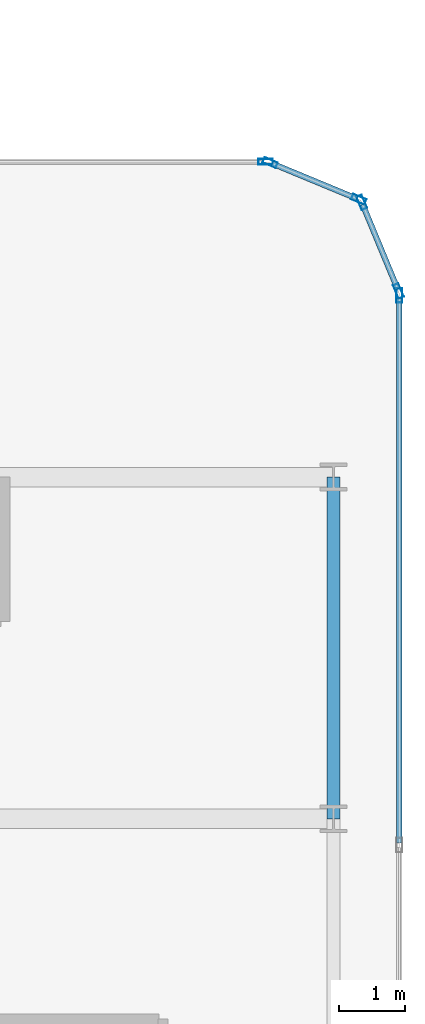
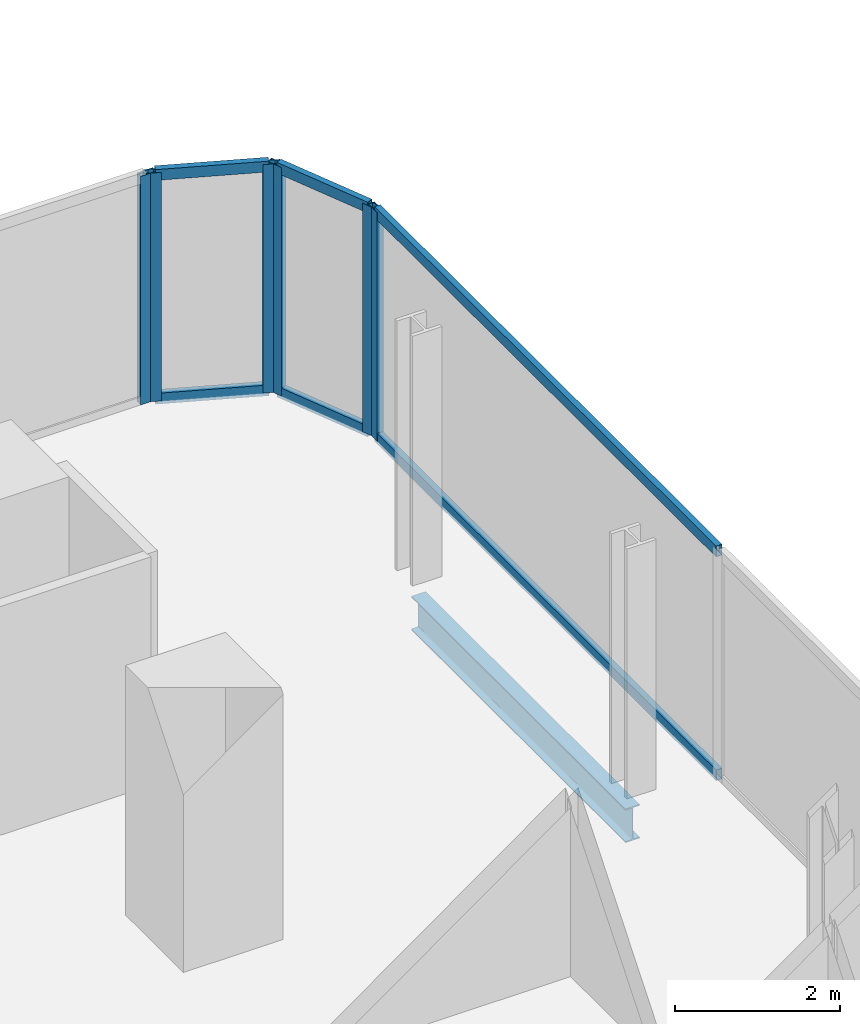
# One storey, part 19 of 33: 12 members, 1 beam, 4 elements without a shape of their own.
"""IFC4 building model written with IfcOpenShell, lengths in metres."""

from ifc_helpers import new_model, si_unit, direction, frame, origin, origin_2d, place, context, subcontext, project, spatial, hollow_rectangle, i_section, extrude, material, layer, layer_set, material_profile, profile_set, type_object, element, aggregate, save


model = new_model("IFC4")

# Units and contexts
model_context = context("Model", 3, precision=1e-05, world=origin(), true_north=direction((0.0, 1.0)))
body_context = subcontext(model_context, "Body", "Model", "MODEL_VIEW")
ifc_project = project(units=[si_unit("LENGTHUNIT", "METRE"), si_unit("AREAUNIT", "SQUARE_METRE"), si_unit("VOLUMEUNIT", "CUBIC_METRE"), si_unit("PLANEANGLEUNIT", "RADIAN"), si_unit("MASSUNIT", "GRAM", prefix="KILO")], contexts=[model_context])

# Site, building, storey
site_placement = place(None, origin())
site = spatial("IfcSite", under=ifc_project, at=site_placement, CompositionType="ELEMENT")
building_placement = place(site_placement, origin())
building = spatial("IfcBuilding", under=site, at=building_placement, Name="Keshet Zoharim Tower", CompositionType="ELEMENT")
storey_placement = place(building_placement, frame((0.0, 0.0, 42.5)))
storey = spatial("IfcBuildingStorey", under=building, at=storey_placement, Name="L09", CompositionType="ELEMENT", Elevation=42.5)

# Beam
ifc_material_1 = material(Name="Steel S355", Category="steel")
ifc_material_profile_1 = material_profile(ifc_material_1, i_section(OverallWidth=0.199951171875, OverallDepth=0.5, WebThickness=0.01025390625, FlangeThickness=0.01611328125, FilletRadius=0.02099609375, at=origin_2d()), Name="IPE500")
ifc_profile_set_1 = profile_set([ifc_material_profile_1], Name="Steel S355")
beam_type = type_object("IfcBeamType", Name="BM-PRI-IP500", PredefinedType="BEAM", material=ifc_profile_set_1)
beam_placement = place(storey_placement, frame((69.0, 22.699951171875, -0.56494140625), z_axis=(0.0, 1.0, 0.0), x_axis=(-1.0, 0.0, 0.0)))
element("IfcBeam", 1, at=beam_placement, inside=storey, type_object=beam_type, Name="L09 Primary Girder Y-025", PredefinedType="BEAM", context=body_context, shape_type="SweptSolid", body=[
    extrude(i_section(OverallWidth=0.199951171875, OverallDepth=0.5, WebThickness=0.01025390625, FlangeThickness=0.01611328125, FilletRadius=0.02099609375, at=origin_2d()), origin(), (0.0, 0.0, 1.0), 5.199951171875),
])

# Curtain wall, member
ifc_material_2 = material(Name="Aluminium 6063-T6", Category="aluminium")
ifc_layer = layer(ifc_material_2, 0.169921875)
ifc_layer_set = layer_set([ifc_layer], Name="Aluminium 6063-T6")
curtain_wall_type = type_object("IfcCurtainWallType", Name="CW-SYS-02", PredefinedType="NOTDEFINED", material=ifc_layer_set)
curtain_wall_1_placement = place(storey_placement, origin())
curtain_wall_1 = element("IfcCurtainWall", 2, at=curtain_wall_1_placement, inside=storey, type_object=curtain_wall_type, Name="L09 Unitised Curtain Wall 13", PredefinedType="NOTDEFINED")
ifc_material_profile_2 = material_profile(ifc_material_2, hollow_rectangle(XDim=0.090087890625, YDim=0.219970703125, WallThickness=0.0048828125, at=origin_2d()), Name="MUL-90x220")
ifc_profile_set_2 = profile_set([ifc_material_profile_2], Name="Aluminium 6063-T6")
member_type_1 = type_object("IfcMemberType", Name="CWM-M22", PredefinedType="MULLION", material=ifc_profile_set_2)
member_1_placement = place(storey_placement, frame((67.965087890625, 32.699951171875, 0.0), z_axis=(0.0, 0.0, 1.0), x_axis=(0.0, 1.0, 0.0)))
member_1 = element("IfcMember", 3, at=member_1_placement, type_object=member_type_1, Name="CW-02 mullion 2", PredefinedType="MULLION", context=body_context, shape_type="SweptSolid", body=[
    extrude(hollow_rectangle(XDim=0.090087890625, YDim=0.219970703125, WallThickness=0.0048828125, at=origin_2d()), origin(), (0.0, 0.0, 1.0), 3.385009765625),
])
aggregate(curtain_wall_1, [member_1])

# Curtain wall, members
curtain_wall_2_placement = place(storey_placement, origin())
curtain_wall_2 = element("IfcCurtainWall", 4, at=curtain_wall_2_placement, inside=storey, type_object=curtain_wall_type, Name="L09 Unitised Curtain Wall 14", PredefinedType="NOTDEFINED")
member_2_placement = place(storey_placement, frame((68.0322265625, 32.6865234375, 0.0), z_axis=(0.0, 0.0, 1.0), x_axis=(0.382851849847, 0.92380975372, 0.0)))
member_2 = element("IfcMember", 5, at=member_2_placement, type_object=member_type_1, Name="CW-02 mullion 1", PredefinedType="MULLION", context=body_context, shape_type="SweptSolid", body=[
    extrude(hollow_rectangle(XDim=0.090087890625, YDim=0.219970703125, WallThickness=0.0048828125, at=origin_2d()), origin(), (0.0, 0.0, 1.0), 3.385009765625),
])
member_3_placement = place(storey_placement, frame((69.381591796875, 32.12744140625, 0.0), z_axis=(0.0, 0.0, 1.0), x_axis=(0.382851849847, 0.92380975372, 0.0)))
member_3 = element("IfcMember", 6, at=member_3_placement, type_object=member_type_1, Name="CW-02 mullion 2", PredefinedType="MULLION", context=body_context, shape_type="SweptSolid", body=[
    extrude(hollow_rectangle(XDim=0.090087890625, YDim=0.219970703125, WallThickness=0.0048828125, at=origin_2d()), origin(), (0.0, 0.0, 1.0), 3.385009765625),
])

curtain_wall_3_placement = place(storey_placement, origin())
curtain_wall_3 = element("IfcCurtainWall", 7, at=curtain_wall_3_placement, inside=storey, type_object=curtain_wall_type, Name="L09 Unitised Curtain Wall 15", PredefinedType="NOTDEFINED")
member_4_placement = place(storey_placement, frame((69.427490234375, 32.081787109375, 0.0), z_axis=(0.0, 0.0, 1.0), x_axis=(0.92380975372, 0.382851849847, 0.0)))
member_4 = element("IfcMember", 8, at=member_4_placement, type_object=member_type_1, Name="CW-02 mullion 1", PredefinedType="MULLION", context=body_context, shape_type="SweptSolid", body=[
    extrude(hollow_rectangle(XDim=0.090087890625, YDim=0.219970703125, WallThickness=0.0048828125, at=origin_2d()), origin(), (0.0, 0.0, 1.0), 3.385009765625),
])
member_5_placement = place(storey_placement, frame((69.986572265625, 30.732421875, 0.0), z_axis=(0.0, 0.0, 1.0), x_axis=(0.92380975372, 0.382851849847, 0.0)))
member_5 = element("IfcMember", 9, at=member_5_placement, type_object=member_type_1, Name="CW-02 mullion 2", PredefinedType="MULLION", context=body_context, shape_type="SweptSolid", body=[
    extrude(hollow_rectangle(XDim=0.090087890625, YDim=0.219970703125, WallThickness=0.0048828125, at=origin_2d()), origin(), (0.0, 0.0, 1.0), 3.385009765625),
])

# Curtain wall, member
curtain_wall_4_placement = place(storey_placement, origin())
curtain_wall_4 = element("IfcCurtainWall", 10, at=curtain_wall_4_placement, inside=storey, type_object=curtain_wall_type, Name="L09 Unitised Curtain Wall 16", PredefinedType="NOTDEFINED")
member_6_placement = place(storey_placement, frame((70.0, 30.6650390625, 0.0), z_axis=(0.0, 0.0, 1.0), x_axis=(1.0, 0.0, 0.0)))
member_6 = element("IfcMember", 11, at=member_6_placement, type_object=member_type_1, Name="CW-02 mullion 1", PredefinedType="MULLION", context=body_context, shape_type="SweptSolid", body=[
    extrude(hollow_rectangle(XDim=0.090087890625, YDim=0.219970703125, WallThickness=0.0048828125, at=origin_2d()), origin(), (0.0, 0.0, 1.0), 3.385009765625),
])

# Member
ifc_material_profile_3 = material_profile(ifc_material_2, hollow_rectangle(XDim=0.0849609375, YDim=0.159912109375, WallThickness=0.00439453125, at=origin_2d()), Name="TRN-85x160")
ifc_profile_set_3 = profile_set([ifc_material_profile_3], Name="Aluminium 6063-T6")
member_type_2 = type_object("IfcMemberType", Name="CWT-T16", PredefinedType="USERDEFINED", material=ifc_profile_set_3)
member_7_placement = place(storey_placement, frame((68.064697265625, 32.673095703125, 0.034912109375), z_axis=(0.923854189844, -0.382744609247, 0.0), x_axis=(0.382744609247, 0.923854189844, 0.0)))
member_7 = element("IfcMember", 12, at=member_7_placement, type_object=member_type_2, Name="CW-02 transom 1.1", ObjectType="TRANSOM", PredefinedType="USERDEFINED", context=body_context, shape_type="SweptSolid", body=[
    extrude(hollow_rectangle(XDim=0.0849609375, YDim=0.159912109375, WallThickness=0.00439453125, at=origin_2d()), origin(), (0.0, 0.0, 1.0), 1.390625),
])

member_8_placement = place(storey_placement, frame((68.064697265625, 32.673095703125, 3.35009765625), z_axis=(0.923854189844, -0.382744609247, 0.0), x_axis=(0.382744609247, 0.923854189844, 0.0)))
member_8 = element("IfcMember", 13, at=member_8_placement, type_object=member_type_2, Name="CW-02 transom 1.2", ObjectType="TRANSOM", PredefinedType="USERDEFINED", context=body_context, shape_type="SweptSolid", body=[
    extrude(hollow_rectangle(XDim=0.0849609375, YDim=0.159912109375, WallThickness=0.00439453125, at=origin_2d()), origin(), (0.0, 0.0, 1.0), 1.390625),
])

aggregate(curtain_wall_2, [member_2, member_3, member_7, member_8])

member_9_placement = place(storey_placement, frame((69.44091796875, 32.04931640625, 0.034912109375), z_axis=(0.382744609247, -0.923854189844, 0.0), x_axis=(0.923854189844, 0.382744609247, 0.0)))
member_9 = element("IfcMember", 14, at=member_9_placement, type_object=member_type_2, Name="CW-02 transom 1.1", ObjectType="TRANSOM", PredefinedType="USERDEFINED", context=body_context, shape_type="SweptSolid", body=[
    extrude(hollow_rectangle(XDim=0.0849609375, YDim=0.159912109375, WallThickness=0.00439453125, at=origin_2d()), origin(), (0.0, 0.0, 1.0), 1.390625),
])

member_10_placement = place(storey_placement, frame((69.44091796875, 32.04931640625, 3.35009765625), z_axis=(0.382744609247, -0.923854189844, 0.0), x_axis=(0.923854189844, 0.382744609247, 0.0)))
member_10 = element("IfcMember", 15, at=member_10_placement, type_object=member_type_2, Name="CW-02 transom 1.2", ObjectType="TRANSOM", PredefinedType="USERDEFINED", context=body_context, shape_type="SweptSolid", body=[
    extrude(hollow_rectangle(XDim=0.0849609375, YDim=0.159912109375, WallThickness=0.00439453125, at=origin_2d()), origin(), (0.0, 0.0, 1.0), 1.390625),
])

aggregate(curtain_wall_3, [member_4, member_5, member_9, member_10])

member_11_placement = place(storey_placement, frame((70.0, 30.6298828125, 0.034912109375), z_axis=(0.0, -1.0, 0.0), x_axis=(1.0, 0.0, 0.0)))
member_11 = element("IfcMember", 16, at=member_11_placement, type_object=member_type_2, Name="CW-02 transom 1.1", ObjectType="TRANSOM", PredefinedType="USERDEFINED", context=body_context, shape_type="SweptSolid", body=[
    extrude(hollow_rectangle(XDim=0.0849609375, YDim=0.159912109375, WallThickness=0.00439453125, at=origin_2d()), origin(), (0.0, 0.0, 1.0), 8.29638671875),
])

member_12_placement = place(storey_placement, frame((70.0, 30.6298828125, 3.35009765625), z_axis=(0.0, -1.0, 0.0), x_axis=(1.0, 0.0, 0.0)))
member_12 = element("IfcMember", 17, at=member_12_placement, type_object=member_type_2, Name="CW-02 transom 1.2", ObjectType="TRANSOM", PredefinedType="USERDEFINED", context=body_context, shape_type="SweptSolid", body=[
    extrude(hollow_rectangle(XDim=0.0849609375, YDim=0.159912109375, WallThickness=0.00439453125, at=origin_2d()), origin(), (0.0, 0.0, 1.0), 8.29638671875),
])

aggregate(curtain_wall_4, [member_6, member_11, member_12])

save(model, "model.ifc")
